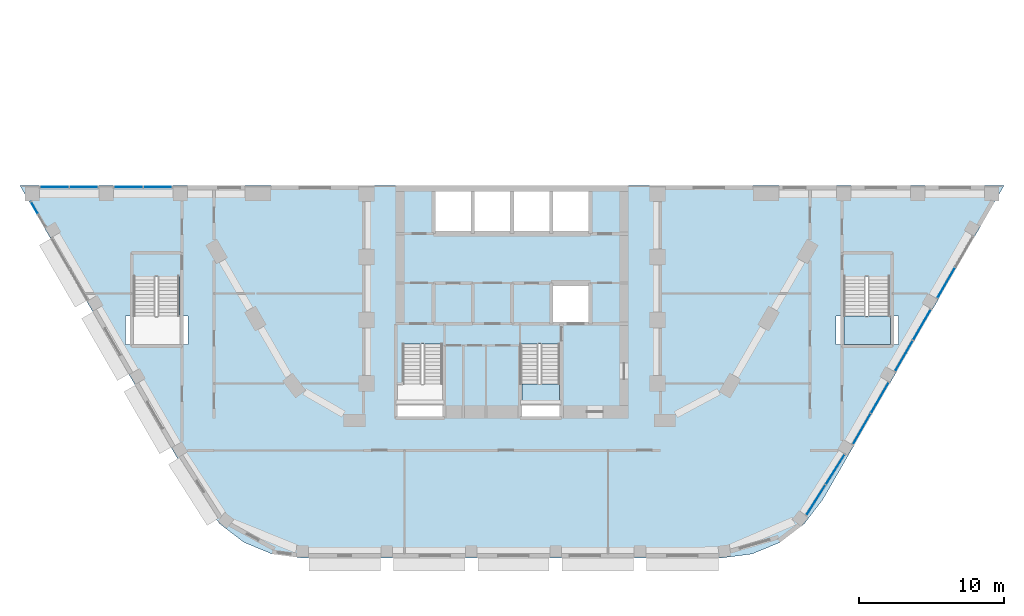
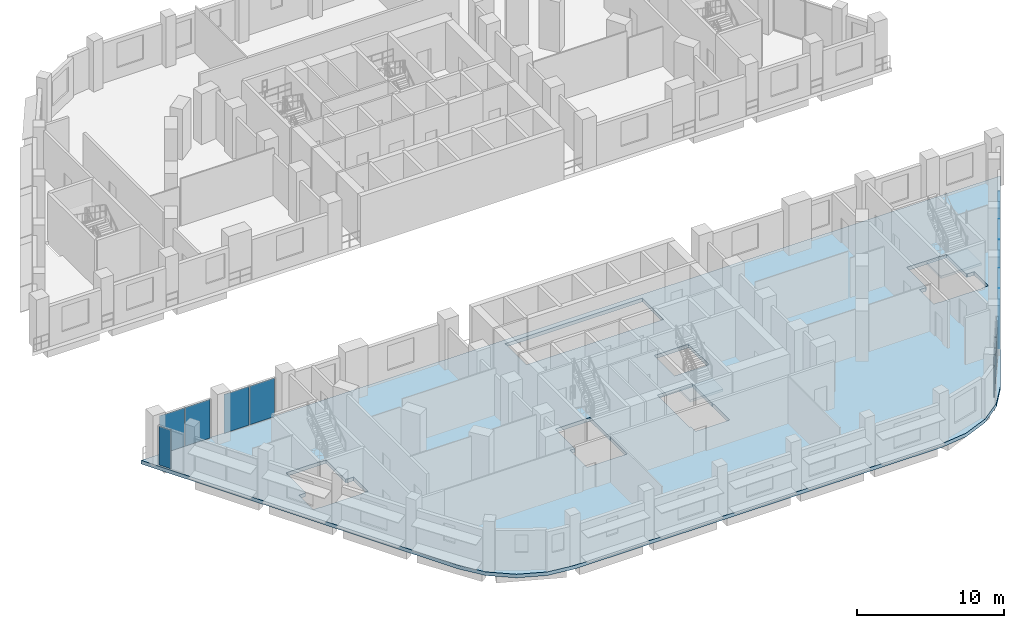
# One storey, part 9 of 22: 12 plates, 3 slabs, 9 elements without a shape of their own.
"""IFC4 building model written with IfcOpenShell, lengths in metres."""

from ifc_helpers import new_model, si_unit, direction, frame, origin, origin_2d, place, context, subcontext, project, spatial, polyline, rectangle, outline, extrude, material, layer, layer_set, type_object, element, aggregate, save


model = new_model("IFC4")

# Units and contexts
model_context = context("Model", 3, precision=1e-05, world=origin(), true_north=direction((0.0, 1.0)))
body_context = subcontext(model_context, "Body", "Model", "MODEL_VIEW")
ifc_project = project(units=[si_unit("LENGTHUNIT", "METRE"), si_unit("AREAUNIT", "SQUARE_METRE"), si_unit("VOLUMEUNIT", "CUBIC_METRE"), si_unit("PLANEANGLEUNIT", "RADIAN"), si_unit("MASSUNIT", "GRAM", prefix="KILO")], contexts=[model_context])

# Site, building, storey
site_placement = place(None, origin())
site = spatial("IfcSite", under=ifc_project, at=site_placement, CompositionType="ELEMENT")
building_placement = place(site_placement, origin())
building = spatial("IfcBuilding", under=site, at=building_placement, Name="Nakaniwa Court", CompositionType="ELEMENT")
storey_placement = place(building_placement, frame((0.0, 0.0, 24.0)))
storey = spatial("IfcBuildingStorey", under=building, at=storey_placement, Name="L05", CompositionType="ELEMENT", Elevation=24.0)

# Slab
ifc_material_1 = material(Name="Concrete C100/115", Category="concrete")
ifc_layer_1 = layer(ifc_material_1, 0.300048828125)
ifc_layer_set_1 = layer_set([ifc_layer_1], Name="Concrete C100/115")
slab_type_1 = type_object("IfcSlabType", Name="Concrete C100/115 post tensioned floor slab 300", PredefinedType="FLOOR", material=ifc_layer_set_1)
slab_1_placement = place(storey_placement, frame((0.0, 0.0, -0.300048828125)))
element("IfcSlab", 1, at=slab_1_placement, inside=storey, type_object=slab_type_1, Name="FLOOR SLAB", PredefinedType="FLOOR", context=body_context, shape_type="SweptSolid", body=[
    extrude(outline(polyline([(101.362060546875, 51.0), (113.832763671875, 72.60009765625), (46.167236328125, 72.60009765625), (58.637939453125, 51.0), (59.909423828125, 49.343017578125), (61.566162109375, 48.07177734375), (63.49560546875, 47.272705078125), (65.566162109375, 47.0), (94.433837890625, 47.0), (96.50439453125, 47.272705078125), (98.433837890625, 48.07177734375), (100.090576171875, 49.343017578125), (101.362060546875, 51.0)]), holes=[polyline([(72.0849609375, 59.014892578125), (72.0849609375, 56.68505859375), (75.264892578125, 56.68505859375), (75.264892578125, 59.014892578125), (75.22509765625, 59.014892578125), (75.22509765625, 61.7099609375), (72.47509765625, 61.7099609375), (72.47509765625, 59.014892578125), (72.0849609375, 59.014892578125)]), polyline([(53.93505859375, 61.675048828125), (53.93505859375, 61.635009765625), (57.215087890625, 61.635009765625), (57.215087890625, 61.675048828125), (57.72509765625, 61.675048828125), (57.72509765625, 63.625), (57.215087890625, 63.625), (57.215087890625, 63.6650390625), (57.125, 63.6650390625), (57.125, 66.360107421875), (53.97509765625, 66.360107421875), (53.97509765625, 63.6650390625), (53.93505859375, 63.6650390625), (53.93505859375, 63.625), (53.425048828125, 63.625), (53.425048828125, 61.675048828125), (53.93505859375, 61.675048828125)]), polyline([(77.300048828125, 69.300048828125), (80.0, 69.300048828125), (82.699951171875, 69.300048828125), (85.39990234375, 69.300048828125), (85.39990234375, 72.199951171875), (82.699951171875, 72.199951171875), (80.0, 72.199951171875), (77.300048828125, 72.199951171875), (74.60009765625, 72.199951171875), (74.60009765625, 69.300048828125), (77.300048828125, 69.300048828125)]), polyline([(80.52490234375, 57.324951171875), (80.635009765625, 57.324951171875), (80.635009765625, 56.68505859375), (83.31494140625, 56.68505859375), (83.31494140625, 59.014892578125), (83.27490234375, 59.014892578125), (83.27490234375, 61.7099609375), (80.52490234375, 61.7099609375), (80.52490234375, 57.324951171875)]), polyline([(102.784912109375, 61.675048828125), (102.784912109375, 61.635009765625), (106.06494140625, 61.635009765625), (106.06494140625, 61.675048828125), (106.574951171875, 61.675048828125), (106.574951171875, 63.625), (106.06494140625, 63.625), (106.06494140625, 63.6650390625), (105.97509765625, 63.6650390625), (105.97509765625, 66.360107421875), (102.824951171875, 66.360107421875), (102.824951171875, 63.6650390625), (102.784912109375, 63.6650390625), (102.784912109375, 63.625), (102.27490234375, 63.625), (102.27490234375, 61.675048828125), (102.784912109375, 61.675048828125)]), polyline([(85.39990234375, 63.10009765625), (85.39990234375, 65.89990234375), (82.699951171875, 65.89990234375), (82.699951171875, 63.10009765625), (85.39990234375, 63.10009765625)])]), origin(), (0.0, 0.0, 1.0), 0.300048828125),
])

# Curtain wall, plates
ifc_material_2 = material(Name="Black anodised aluminium frame with dark low-E laminated double glazing", Category="aluminium")
ifc_layer_2 = layer(ifc_material_2, 0.199951171875)
ifc_layer_set_2 = layer_set([ifc_layer_2], Name="Black anodised aluminium frame with dark low-E laminated double glazing")
curtain_wall_type = type_object("IfcCurtainWallType", Name="Podium unitised curtain wall", PredefinedType="NOTDEFINED", material=ifc_layer_set_2)
curtain_wall_1_placement = place(storey_placement, origin())
curtain_wall_1 = element("IfcCurtainWall", 2, at=curtain_wall_1_placement, inside=storey, type_object=curtain_wall_type, Name="L05 curtain wall CW1 00", PredefinedType="NOTDEFINED")
ifc_material_3 = material(Name="Dark toughened glass", Category="glass")
ifc_layer_3 = layer(ifc_material_3, 0.008, Name="Outer pane")
ifc_material_4 = material(Name="Argon filled cavity")
ifc_layer_4 = layer(ifc_material_4, 0.016, Name="Cavity")
ifc_material_5 = material(Name="Dark laminated safety glass", Category="glass")
ifc_layer_5 = layer(ifc_material_5, 0.008, Name="Inner pane")
ifc_layer_set_3 = layer_set([ifc_layer_3, ifc_layer_4, ifc_layer_5], Name="Dark low-E laminated double glazing")
plate_type = type_object("IfcPlateType", Name="Podium unitised curtain wall glass panel", PredefinedType="CURTAIN_PANEL", material=ifc_layer_set_3)
plate_1_placement = place(storey_placement, frame((104.056640625, 55.8671875, 0.050048828125), z_axis=(0.0, 0.0, 1.0), x_axis=(0.499979299736, 0.866037354758, 0.0)))
plate_1 = element("IfcPlate", 3, at=plate_1_placement, type_object=plate_type, Name="CW1 panel 1.1", PredefinedType="CURTAIN_PANEL", context=body_context, shape_type="SweptSolid", body=[
    extrude(rectangle(XDim=2.40771484375, YDim=0.031982421875, at=origin_2d()), origin(), (0.0, 0.0, 1.0), 3.22509765625),
])
plate_2_placement = place(storey_placement, frame((105.29296875, 58.008544921875, 0.050048828125), z_axis=(0.0, 0.0, 1.0), x_axis=(0.499979299736, 0.866037354758, 0.0)))
plate_2 = element("IfcPlate", 4, at=plate_2_placement, type_object=plate_type, Name="CW1 panel 2.1", PredefinedType="CURTAIN_PANEL", context=body_context, shape_type="SweptSolid", body=[
    extrude(rectangle(XDim=2.40771484375, YDim=0.031982421875, at=origin_2d()), origin(), (0.0, 0.0, 1.0), 3.22509765625),
])
aggregate(curtain_wall_1, [plate_1, plate_2])

curtain_wall_2_placement = place(storey_placement, origin())
curtain_wall_2 = element("IfcCurtainWall", 5, at=curtain_wall_2_placement, inside=storey, type_object=curtain_wall_type, Name="L05 curtain wall CW1 01", PredefinedType="NOTDEFINED")
plate_3_placement = place(storey_placement, frame((106.957763671875, 60.89208984375, 0.050048828125), z_axis=(0.0, 0.0, 1.0), x_axis=(0.499987941889, 0.866032365426, 0.0)))
plate_3 = element("IfcPlate", 6, at=plate_3_placement, type_object=plate_type, Name="CW1 panel 1.1", PredefinedType="CURTAIN_PANEL", context=body_context, shape_type="SweptSolid", body=[
    extrude(rectangle(XDim=2.40771484375, YDim=0.031982421875, at=origin_2d()), origin(), (0.0, 0.0, 1.0), 3.22509765625),
])
plate_4_placement = place(storey_placement, frame((108.194091796875, 63.033447265625, 0.050048828125), z_axis=(0.0, 0.0, 1.0), x_axis=(0.499987941889, 0.866032365426, 0.0)))
plate_4 = element("IfcPlate", 7, at=plate_4_placement, type_object=plate_type, Name="CW1 panel 2.1", PredefinedType="CURTAIN_PANEL", context=body_context, shape_type="SweptSolid", body=[
    extrude(rectangle(XDim=2.40771484375, YDim=0.031982421875, at=origin_2d()), origin(), (0.0, 0.0, 1.0), 3.22509765625),
])
aggregate(curtain_wall_2, [plate_3, plate_4])

# Curtain wall, plate
curtain_wall_3_placement = place(storey_placement, origin())
curtain_wall_3 = element("IfcCurtainWall", 8, at=curtain_wall_3_placement, inside=storey, type_object=curtain_wall_type, Name="L05 curtain wall CW1 02", PredefinedType="NOTDEFINED")
plate_5_placement = place(storey_placement, frame((109.85888671875, 65.9169921875, 0.050048828125), z_axis=(0.0, 0.0, 1.0), x_axis=(0.500002911009, 0.866023723106, 0.0)))
plate_5 = element("IfcPlate", 9, at=plate_5_placement, type_object=plate_type, Name="CW1 panel 1.1", PredefinedType="CURTAIN_PANEL", context=body_context, shape_type="SweptSolid", body=[
    extrude(rectangle(XDim=2.40771484375, YDim=0.031982421875, at=origin_2d()), origin(), (0.0, 0.0, 1.0), 3.22509765625),
])
aggregate(curtain_wall_3, [plate_5])

# Curtain wall, plates
curtain_wall_4_placement = place(storey_placement, origin())
curtain_wall_4 = element("IfcCurtainWall", 10, at=curtain_wall_4_placement, inside=storey, type_object=curtain_wall_type, Name="L05 curtain wall CW1 10", PredefinedType="NOTDEFINED")
plate_6_placement = place(storey_placement, frame((55.641357421875, 72.5, 0.050048828125), z_axis=(0.0, 0.0, 1.0), x_axis=(-1.0, 0.0, 0.0)))
plate_6 = element("IfcPlate", 11, at=plate_6_placement, type_object=plate_type, Name="CW1 panel 1.1", PredefinedType="CURTAIN_PANEL", context=body_context, shape_type="SweptSolid", body=[
    extrude(rectangle(XDim=1.949462890625, YDim=0.031982421875, at=origin_2d()), origin(), (0.0, 0.0, 1.0), 3.22509765625),
])
plate_7_placement = place(storey_placement, frame((53.626708984375, 72.5, 0.050048828125), z_axis=(0.0, 0.0, 1.0), x_axis=(-1.0, 0.0, 0.0)))
plate_7 = element("IfcPlate", 12, at=plate_7_placement, type_object=plate_type, Name="CW1 panel 2.1", PredefinedType="CURTAIN_PANEL", context=body_context, shape_type="SweptSolid", body=[
    extrude(rectangle(XDim=1.949462890625, YDim=0.031982421875, at=origin_2d()), origin(), (0.0, 0.0, 1.0), 3.22509765625),
])
aggregate(curtain_wall_4, [plate_6, plate_7])

curtain_wall_5_placement = place(storey_placement, origin())
curtain_wall_5 = element("IfcCurtainWall", 13, at=curtain_wall_5_placement, inside=storey, type_object=curtain_wall_type, Name="L05 curtain wall CW1 11", PredefinedType="NOTDEFINED")
plate_8_placement = place(storey_placement, frame((50.554931640625, 72.5, 0.050048828125), z_axis=(0.0, 0.0, 1.0), x_axis=(-1.0, 0.0, 0.0)))
plate_8 = element("IfcPlate", 14, at=plate_8_placement, type_object=plate_type, Name="CW1 panel 1.1", PredefinedType="CURTAIN_PANEL", context=body_context, shape_type="SweptSolid", body=[
    extrude(rectangle(XDim=1.949951171875, YDim=0.031982421875, at=origin_2d()), origin(), (0.0, 0.0, 1.0), 3.22509765625),
])
plate_9_placement = place(storey_placement, frame((48.5400390625, 72.5, 0.050048828125), z_axis=(0.0, 0.0, 1.0), x_axis=(-1.0, 0.0, 0.0)))
plate_9 = element("IfcPlate", 15, at=plate_9_placement, type_object=plate_type, Name="CW1 panel 2.1", PredefinedType="CURTAIN_PANEL", context=body_context, shape_type="SweptSolid", body=[
    extrude(rectangle(XDim=1.949951171875, YDim=0.031982421875, at=origin_2d()), origin(), (0.0, 0.0, 1.0), 3.22509765625),
])
aggregate(curtain_wall_5, [plate_8, plate_9])

# Curtain wall, plate
curtain_wall_6_placement = place(storey_placement, origin())
curtain_wall_6 = element("IfcCurtainWall", 16, at=curtain_wall_6_placement, inside=storey, type_object=curtain_wall_type, Name="L05 curtain wall CW1 12", PredefinedType="NOTDEFINED")
plate_10_placement = place(storey_placement, frame((47.169189453125, 71.06494140625, 0.050048828125), z_axis=(0.0, 0.0, 1.0), x_axis=(0.499982305557, -0.866035619435, 0.0)))
plate_10 = element("IfcPlate", 17, at=plate_10_placement, type_object=plate_type, Name="CW1 panel 1.1", PredefinedType="CURTAIN_PANEL", context=body_context, shape_type="SweptSolid", body=[
    extrude(rectangle(XDim=0.940673828125, YDim=0.031982421875, at=origin_2d()), origin(), (0.0, 0.0, 1.0), 3.22509765625),
])
aggregate(curtain_wall_6, [plate_10])

# Curtain wall, plates
curtain_wall_7_placement = place(storey_placement, origin())
curtain_wall_7 = element("IfcCurtainWall", 18, at=curtain_wall_7_placement, inside=storey, type_object=curtain_wall_type, Name="L05 curtain wall CW1 26", PredefinedType="NOTDEFINED")
plate_11_placement = place(storey_placement, frame((100.89794921875, 50.982177734375, 0.050048828125), z_axis=(0.0, 0.0, 1.0), x_axis=(0.534596725914, 0.845107295343, 0.0)))
plate_11 = element("IfcPlate", 19, at=plate_11_placement, type_object=plate_type, Name="CW1 panel 1.1", PredefinedType="CURTAIN_PANEL", context=body_context, shape_type="SweptSolid", body=[
    extrude(rectangle(XDim=2.413330078125, YDim=0.031982421875, at=origin_2d()), origin(), (0.0, 0.0, 1.0), 3.22509765625),
])
plate_12_placement = place(storey_placement, frame((102.222900390625, 53.07666015625, 0.050048828125), z_axis=(0.0, 0.0, 1.0), x_axis=(0.534596725914, 0.845107295343, 0.0)))
plate_12 = element("IfcPlate", 20, at=plate_12_placement, type_object=plate_type, Name="CW1 panel 2.1", PredefinedType="CURTAIN_PANEL", context=body_context, shape_type="SweptSolid", body=[
    extrude(rectangle(XDim=2.413330078125, YDim=0.031982421875, at=origin_2d()), origin(), (0.0, 0.0, 1.0), 3.22509765625),
])
aggregate(curtain_wall_7, [plate_11, plate_12])

# Stair, slab
ifc_material_6 = material(Name="Concrete C80/100", Category="concrete")
stair_type_1 = type_object("IfcStairType", Name="Dog leg stair 1300 wide 24 risers", PredefinedType="HALF_TURN_STAIR", material=ifc_material_6)
stair_1_placement = place(storey_placement, origin())
stair_1 = element("IfcStair", 21, at=stair_1_placement, inside=storey, type_object=stair_type_1, Name="L05 Stair ST4", PredefinedType="HALF_TURN_STAIR")
ifc_layer_6 = layer(ifc_material_6, 0.199951171875)
ifc_layer_set_4 = layer_set([ifc_layer_6], Name="Concrete C80/100")
slab_type_2 = type_object("IfcSlabType", Name="Stair landing concrete", PredefinedType="LANDING", material=ifc_layer_set_4)
slab_2_placement = place(storey_placement, frame((0.0, 0.0, 1.89990234375)))
slab_2 = element("IfcSlab", 22, at=slab_2_placement, type_object=slab_type_2, Name="ST4 landing 1", PredefinedType="LANDING", context=body_context, shape_type="SweptSolid", body=[
    extrude(outline(polyline([(83.27490234375, 57.5), (83.27490234375, 58.97509765625), (80.675048828125, 58.97509765625), (80.675048828125, 57.5), (83.27490234375, 57.5)])), origin(), (0.0, 0.0, 1.0), 0.2001953125),
])
aggregate(stair_1, [slab_2])

stair_type_2 = type_object("IfcStairType", Name="Dog leg stair 1500 wide 24 risers", PredefinedType="HALF_TURN_STAIR", material=ifc_material_6)
stair_2_placement = place(storey_placement, origin())
stair_2 = element("IfcStair", 23, at=stair_2_placement, inside=storey, type_object=stair_type_2, Name="L05 Stair SS3", PredefinedType="HALF_TURN_STAIR")
slab_3_placement = place(storey_placement, frame((0.0, 0.0, 1.89990234375)))
slab_3 = element("IfcSlab", 24, at=slab_3_placement, type_object=slab_type_2, Name="SS3 landing 1", PredefinedType="LANDING", context=body_context, shape_type="SweptSolid", body=[
    extrude(outline(polyline([(106.02490234375, 61.675048828125), (106.02490234375, 63.625), (102.824951171875, 63.625), (102.824951171875, 61.675048828125), (106.02490234375, 61.675048828125)])), origin(), (0.0, 0.0, 1.0), 0.2001953125),
])
aggregate(stair_2, [slab_3])

save(model, "model.ifc")
